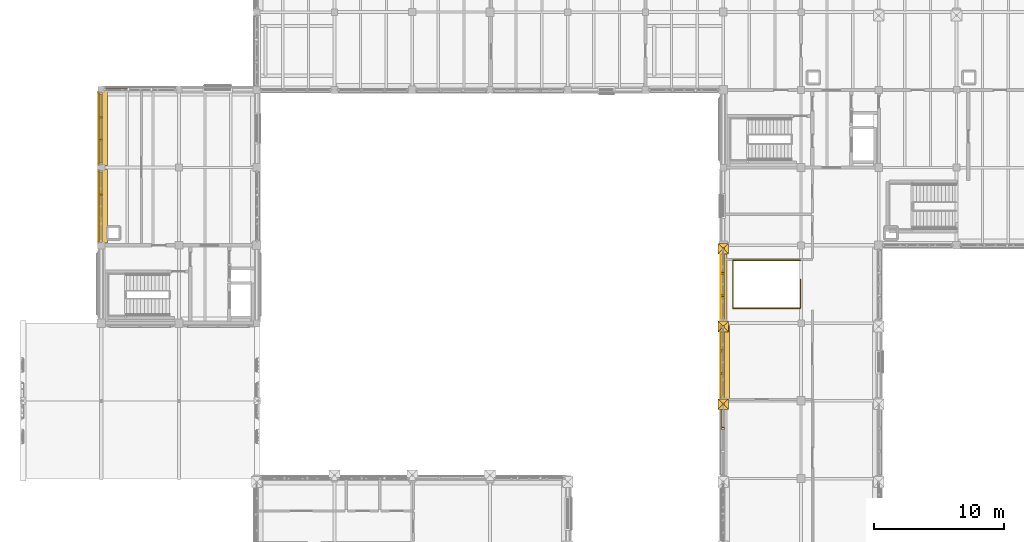
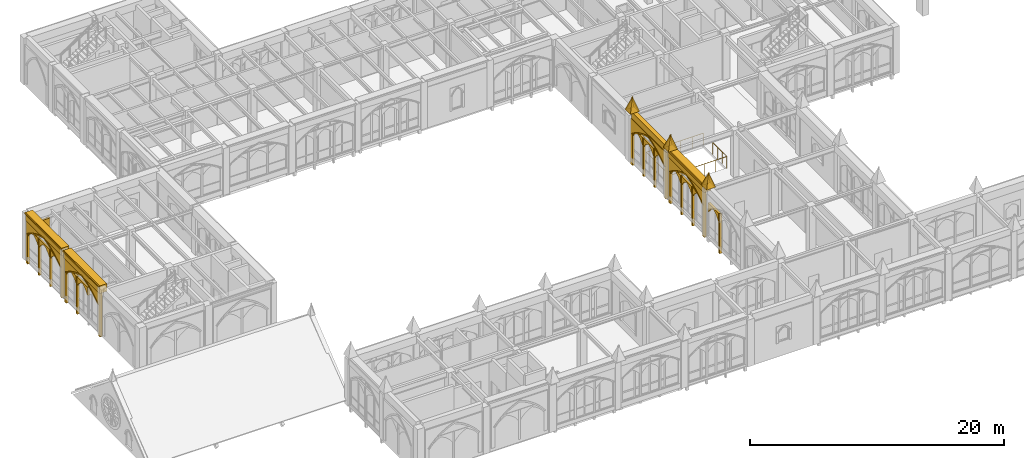
# One storey, part 118 of 143: 48 coverings, 1 railing.
"""IFC4 building model written with IfcOpenShell, lengths in metres."""

from ifc_helpers import new_model, si_unit, direction, frame, origin, origin_2d, place, context, subcontext, project, spatial, polyline, rectangle, circle, outline, extrude, material, type_object, element, save


model = new_model("IFC4")

# Units and contexts
model_context = context("Model", 3, precision=1e-05, world=origin(), true_north=direction((0.0, 1.0)))
body_context = subcontext(model_context, "Body", "Model", "MODEL_VIEW")
ifc_project = project(units=[si_unit("LENGTHUNIT", "METRE"), si_unit("AREAUNIT", "SQUARE_METRE"), si_unit("VOLUMEUNIT", "CUBIC_METRE"), si_unit("PLANEANGLEUNIT", "RADIAN"), si_unit("MASSUNIT", "GRAM", prefix="KILO")], contexts=[model_context])

# Site, building, storey
site_placement = place(None, origin())
site = spatial("IfcSite", under=ifc_project, at=site_placement, CompositionType="ELEMENT")
building_placement = place(site_placement, origin())
building = spatial("IfcBuilding", under=site, at=building_placement, Name="Cumevento Cable Car Station", CompositionType="ELEMENT")
storey_placement = place(building_placement, frame((0.0, 0.0, 9.0)))
storey = spatial("IfcBuildingStorey", under=building, at=storey_placement, Name="L03", CompositionType="ELEMENT", Elevation=9.0)

# Railing
ifc_material_1 = material(Name="Painted Galvanised Architectural Steel", Category="steel")
railing_type = type_object("IfcRailingType", Name="Stair Guardrail GR-S115", PredefinedType="GUARDRAIL", material=ifc_material_1)
railing_placement = place(storey_placement, frame((63.949951171875, 30.360107421875, 0.0)))
element("IfcRailing", 1, at=railing_placement, inside=storey, type_object=railing_type, Name="Stairwell Opening Rim Guard ST-10 L03", PredefinedType="GUARDRAIL", context=body_context, shape_type="SweptSolid", body=[
    extrude(circle(Radius=0.02392578125, at=origin_2d()), frame((0.0, 0.0, 1.1259765625), z_axis=(0.0, -1.0, 0.0), x_axis=(1.0, 0.0, 0.0)), (0.0, 0.0, 1.0), 2.210205078125),
    extrude(circle(Radius=0.02392578125, at=origin_2d()), frame((0.0, -2.210205078125, 1.1259765625), z_axis=(-1.0, 0.0, 0.0), x_axis=(0.0, -1.0, 0.0)), (0.0, 0.0, 1.0), 5.199951171875),
    extrude(circle(Radius=0.02392578125, at=origin_2d()), frame((-5.199951171875, -2.210205078125, 1.1259765625), z_axis=(0.0, 1.0, 0.0), x_axis=(-1.0, 0.0, 0.0)), (0.0, 0.0, 1.0), 3.7001953125),
    extrude(circle(Radius=0.02392578125, at=origin_2d()), frame((-5.199951171875, 1.489990234375, 1.1259765625), z_axis=(1.0, 0.0, 0.0), x_axis=(0.0, 1.0, 0.0)), (0.0, 0.0, 1.0), 5.199951171875),
    extrude(circle(Radius=0.02001953125, at=origin_2d()), origin(), (0.0, 0.0, 1.0), 1.101806640625),
    extrude(circle(Radius=0.02001953125, at=origin_2d()), frame((0.0, -0.73681640625, 0.0)), (0.0, 0.0, 1.0), 1.101806640625),
    extrude(circle(Radius=0.02001953125, at=origin_2d()), frame((0.0, -1.473388671875, 0.0)), (0.0, 0.0, 1.0), 1.101806640625),
    extrude(circle(Radius=0.02001953125, at=origin_2d()), frame((0.0, -2.210205078125, 0.0)), (0.0, 0.0, 1.0), 1.101806640625),
    extrude(circle(Radius=0.02001953125, at=origin_2d()), frame((-1.0400390625, -2.210205078125, 0.0)), (0.0, 0.0, 1.0), 1.101806640625),
    extrude(circle(Radius=0.02001953125, at=origin_2d()), frame((-2.080078125, -2.210205078125, 0.0)), (0.0, 0.0, 1.0), 1.101806640625),
    extrude(circle(Radius=0.02001953125, at=origin_2d()), frame((-3.119873046875, -2.210205078125, 0.0)), (0.0, 0.0, 1.0), 1.101806640625),
    extrude(circle(Radius=0.02001953125, at=origin_2d()), frame((-4.159912109375, -2.210205078125, 0.0)), (0.0, 0.0, 1.0), 1.101806640625),
    extrude(circle(Radius=0.02001953125, at=origin_2d()), frame((-5.199951171875, -2.210205078125, 0.0)), (0.0, 0.0, 1.0), 1.101806640625),
    extrude(circle(Radius=0.02001953125, at=origin_2d()), frame((-5.199951171875, -1.28515625, 0.0)), (0.0, 0.0, 1.0), 1.101806640625),
    extrude(circle(Radius=0.02001953125, at=origin_2d()), frame((-5.199951171875, -0.360107421875, 0.0)), (0.0, 0.0, 1.0), 1.101806640625),
    extrude(circle(Radius=0.02001953125, at=origin_2d()), frame((-5.199951171875, 0.56494140625, 0.0)), (0.0, 0.0, 1.0), 1.101806640625),
    extrude(circle(Radius=0.02001953125, at=origin_2d()), frame((-5.199951171875, 1.489990234375, 0.0)), (0.0, 0.0, 1.0), 1.101806640625),
    extrude(circle(Radius=0.02001953125, at=origin_2d()), frame((-4.159912109375, 1.489990234375, 0.0)), (0.0, 0.0, 1.0), 1.101806640625),
    extrude(circle(Radius=0.02001953125, at=origin_2d()), frame((-3.119873046875, 1.489990234375, 0.0)), (0.0, 0.0, 1.0), 1.101806640625),
    extrude(circle(Radius=0.02001953125, at=origin_2d()), frame((-2.080078125, 1.489990234375, 0.0)), (0.0, 0.0, 1.0), 1.101806640625),
    extrude(circle(Radius=0.02001953125, at=origin_2d()), frame((-1.0400390625, 1.489990234375, 0.0)), (0.0, 0.0, 1.0), 1.101806640625),
    extrude(circle(Radius=0.02001953125, at=origin_2d()), frame((0.0, 1.489990234375, 0.0)), (0.0, 0.0, 1.0), 1.101806640625),
])

# Coverings
ifc_material_2 = material(Name="Gnaisse Facoidal Stone Ashlar 85 MPa", Category="masonry")
covering_type = type_object("IfcCoveringType", Name="Gnaisse Ashlar Cladding CV-CL01", PredefinedType="CLADDING", material=ifc_material_2)
for number, where, z_axis, x_axis, name in (
    (2, (57.580078125, 21.159912109375, 4.8701171875), (0.0, 0.951573760476, 0.30742052367), (1.0, 0.0, 0.0), "Gothic Buttress Pinnacle Spire Facet 1 bt:58.0:21.0"),
    (3, (58.419921875, 21.159912109375, 4.8701171875), (0.951573760476, 0.0, 0.30742052367), (0.0, -1.0, 0.0), "Gothic Buttress Pinnacle Spire Facet 2 bt:58.0:21.0"),
    (4, (58.419921875, 20.320068359375, 4.8701171875), (0.0, -0.951573760476, 0.30742052367), (-1.0, 0.0, 0.0), "Gothic Buttress Pinnacle Spire Facet 3 bt:58.0:21.0"),
    (5, (57.580078125, 20.320068359375, 4.8701171875), (-0.951573760476, 0.0, 0.30742052367), (0.0, 1.0, 0.0), "Gothic Buttress Pinnacle Spire Facet 4 bt:58.0:21.0"),
    (6, (57.580078125, 27.159912109375, 4.8701171875), (0.0, 0.951573760476, 0.30742052367), (1.0, 0.0, 0.0), "Gothic Buttress Pinnacle Spire Facet 1 bt:58.0:27.0"),
    (7, (58.419921875, 27.159912109375, 4.8701171875), (0.951573760476, 0.0, 0.30742052367), (0.0, -1.0, 0.0), "Gothic Buttress Pinnacle Spire Facet 2 bt:58.0:27.0"),
    (8, (58.419921875, 26.320068359375, 4.8701171875), (0.0, -0.951573760476, 0.30742052367), (-1.0, 0.0, 0.0), "Gothic Buttress Pinnacle Spire Facet 3 bt:58.0:27.0"),
    (9, (57.580078125, 26.320068359375, 4.8701171875), (-0.951573760476, 0.0, 0.30742052367), (0.0, 1.0, 0.0), "Gothic Buttress Pinnacle Spire Facet 4 bt:58.0:27.0"),
    (10, (57.580078125, 33.159912109375, 4.8701171875), (0.0, 0.951573760476, 0.30742052367), (1.0, 0.0, 0.0), "Gothic Buttress Pinnacle Spire Facet 1 bt:58.0:33.0"),
    (11, (58.419921875, 33.159912109375, 4.8701171875), (0.951573760476, 0.0, 0.30742052367), (0.0, -1.0, 0.0), "Gothic Buttress Pinnacle Spire Facet 2 bt:58.0:33.0"),
    (12, (58.419921875, 32.320068359375, 4.8701171875), (0.0, -0.951573760476, 0.30742052367), (-1.0, 0.0, 0.0), "Gothic Buttress Pinnacle Spire Facet 3 bt:58.0:33.0"),
    (13, (57.580078125, 32.320068359375, 4.8701171875), (-0.951573760476, 0.0, 0.30742052367), (0.0, 1.0, 0.0), "Gothic Buttress Pinnacle Spire Facet 4 bt:58.0:33.0"),
):
    element("IfcCovering", number, at=place(storey_placement, frame(where, z_axis=z_axis, x_axis=x_axis)), inside=storey, type_object=covering_type, Name=name, PredefinedType="CLADDING", context=body_context, shape_type="SweptSolid", body=[
        extrude(outline(polyline([(0.0, 0.0), (0.83984375, 0.0), (0.419921875, -1.3659526370817139), (0.0, 0.0)])), origin(), (0.0, 0.0, -1.0), 0.0849609375),
    ])
covering_1_placement = place(storey_placement, frame((58.14990234375, 23.987548828125, 4.032958984375), z_axis=(0.0, 0.0, 1.0), x_axis=(0.0, 1.0, 0.0)))
element("IfcCovering", 14, at=covering_1_placement, inside=storey, type_object=covering_type, Name="Gothic Stone Spandrel Stringcourse sc:0604", PredefinedType="CLADDING", context=body_context, shape_type="SweptSolid", body=[
    extrude(rectangle(XDim=5.6650390625, YDim=0.659912109375, at=origin_2d()), origin(), (0.0, 0.0, 1.0), 0.7470703125),
])
covering_2_placement = place(storey_placement, frame((57.79248046875, 23.987548828125, 4.650146484375), z_axis=(0.0, 0.0, 1.0), x_axis=(0.0, 1.0, 0.0)))
element("IfcCovering", 15, at=covering_2_placement, inside=storey, type_object=covering_type, Name="Gothic Cornice Dripstone Lip sc:0604", PredefinedType="CLADDING", context=body_context, shape_type="SweptSolid", body=[
    extrude(rectangle(XDim=5.705078125, YDim=0.114990234375, at=origin_2d()), origin(), (0.0, 0.0, 1.0), 0.1298828125),
])
covering_3_placement = place(storey_placement, frame((58.090087890625, 29.987548828125, 4.032958984375), z_axis=(0.0, 0.0, 1.0), x_axis=(0.0, 1.0, 0.0)))
element("IfcCovering", 16, at=covering_3_placement, inside=storey, type_object=covering_type, Name="Gothic Stone Spandrel Stringcourse sc:0605", PredefinedType="CLADDING", context=body_context, shape_type="SweptSolid", body=[
    extrude(rectangle(XDim=5.43505859375, YDim=0.3798828125, at=origin_2d()), origin(), (0.0, 0.0, 1.0), 0.7470703125),
])
covering_4_placement = place(storey_placement, frame((10.14990234375, 36.012451171875, 3.8330078125), z_axis=(0.0, 0.0, 1.0), x_axis=(0.0, 1.0, 0.0)))
element("IfcCovering", 17, at=covering_4_placement, inside=storey, type_object=covering_type, Name="Gothic Stone Spandrel Stringcourse sc:0622", PredefinedType="CLADDING", context=body_context, shape_type="SweptSolid", body=[
    extrude(rectangle(XDim=5.6650390625, YDim=0.659912109375, at=origin_2d()), origin(), (0.0, 0.0, 1.0), 0.7470703125),
])
covering_5_placement = place(storey_placement, frame((9.79248046875, 36.012451171875, 4.449951171875), z_axis=(0.0, 0.0, 1.0), x_axis=(0.0, 1.0, 0.0)))
element("IfcCovering", 18, at=covering_5_placement, inside=storey, type_object=covering_type, Name="Gothic Cornice Dripstone Lip sc:0622", PredefinedType="CLADDING", context=body_context, shape_type="SweptSolid", body=[
    extrude(rectangle(XDim=5.705078125, YDim=0.114990234375, at=origin_2d()), origin(), (0.0, 0.0, 1.0), 0.1298828125),
])
covering_6_placement = place(storey_placement, frame((10.14990234375, 42.012451171875, 3.8330078125), z_axis=(0.0, 0.0, 1.0), x_axis=(0.0, 1.0, 0.0)))
element("IfcCovering", 19, at=covering_6_placement, inside=storey, type_object=covering_type, Name="Gothic Stone Spandrel Stringcourse sc:0623", PredefinedType="CLADDING", context=body_context, shape_type="SweptSolid", body=[
    extrude(rectangle(XDim=5.715087890625, YDim=0.659912109375, at=origin_2d()), origin(), (0.0, 0.0, 1.0), 0.7470703125),
])
covering_7_placement = place(storey_placement, frame((9.79248046875, 42.012451171875, 4.449951171875), z_axis=(0.0, 0.0, 1.0), x_axis=(0.0, 1.0, 0.0)))
element("IfcCovering", 20, at=covering_7_placement, inside=storey, type_object=covering_type, Name="Gothic Cornice Dripstone Lip sc:0623", PredefinedType="CLADDING", context=body_context, shape_type="SweptSolid", body=[
    extrude(rectangle(XDim=5.7548828125, YDim=0.114990234375, at=origin_2d()), origin(), (0.0, 0.0, 1.0), 0.1298828125),
])
covering_8_placement = place(storey_placement, frame((58.0, 15.25, -0.419921875), z_axis=(0.0, 0.0, 1.0), x_axis=(0.0, 1.0, 0.0)))
element("IfcCovering", 21, at=covering_8_placement, inside=storey, type_object=covering_type, Name="Gothic Bifora Stone Colonnette cw_ogival:0082 #2", PredefinedType="CLADDING", context=body_context, shape_type="SweptSolid", body=[
    extrude(outline(polyline([(3.546630859375, -0.02001953125), (3.69677734375, -0.02001953125), (3.69677734375, 3.7880859375), (3.546630859375, 3.7880859375), (3.546630859375, -0.02001953125)])), frame((0.0, 0.1279296875, 0.0), z_axis=(0.0, -1.0, 0.0), x_axis=(1.0, 0.0, 0.0)), (0.0, 0.0, 1.0), 0.205078125),
])
covering_9_placement = place(storey_placement, frame((58.0, 18.916748046875, 2.533203125), z_axis=(0.0, 0.0, 1.0), x_axis=(0.0, 1.0, 0.0)))
element("IfcCovering", 22, at=covering_9_placement, inside=storey, type_object=covering_type, Name="Gothic Ogival Pointed-Arch Stone Spandrel cw_ogival:0082:sub:2", PredefinedType="CLADDING", context=body_context, shape_type="SweptSolid", body=[
    extrude(outline(polyline([(-0.02001953125, 0.0), (-0.02001953125, 0.835205078125), (1.6982421875, 0.835205078125), (1.6982421875, 0.0), (1.638427734375, 0.0), (1.541259765625, 0.154052734375), (1.427978515625, 0.29638671875), (1.29931640625, 0.42529296875), (1.156982421875, 0.538818359375), (1.0029296875, 0.635986328125), (0.839111328125, 0.715087890625), (0.67529296875, 0.635986328125), (0.521240234375, 0.538818359375), (0.37890625, 0.42529296875), (0.250244140625, 0.29638671875), (0.136962890625, 0.154052734375), (0.0400390625, 0.0), (-0.02001953125, 0.0)])), frame((0.0, 0.1240234375, 0.0), z_axis=(0.0, -1.0, 0.0), x_axis=(1.0, 0.0, 0.0)), (0.0, 0.0, 1.0), 0.199951171875),
])
placement_1 = place(storey_placement, frame((58.0, 21.27490234375, -0.320068359375), z_axis=(0.0, 0.0, 1.0), x_axis=(0.0, 1.0, 0.0)))
element("IfcCovering", 23, at=placement_1, inside=storey, type_object=covering_type, Name="Gothic Ogival Pointed-Arch Stone Spandrel cw_ogival:0084", PredefinedType="CLADDING", context=body_context, shape_type="SweptSolid", body=[
    extrude(outline(polyline([(-0.080078125, 0.0), (-0.080078125, 4.492919921875), (5.5048828125, 4.492919921875), (5.5048828125, 0.0), (5.264892578125, 0.0), (5.264892578125, 3.069091796875), (4.9765625, 3.278076171875), (4.677734375, 3.47216796875), (4.369140625, 3.650390625), (4.052001953125, 3.812744140625), (3.726806640625, 3.95849609375), (3.39453125, 4.08740234375), (3.05615234375, 4.198974609375), (2.71240234375, 4.29296875), (2.368896484375, 4.198974609375), (2.030517578125, 4.08740234375), (1.6982421875, 3.95849609375), (1.373046875, 3.812744140625), (1.055908203125, 3.650390625), (0.747314453125, 3.47216796875), (0.448486328125, 3.278076171875), (0.159912109375, 3.069091796875), (0.159912109375, 0.0), (-0.080078125, 0.0)])), frame((0.0, 0.139892578125, 0.0), z_axis=(0.0, -1.0, 0.0), x_axis=(1.0, 0.0, 0.0)), (0.0, 0.0, 1.0), 0.219970703125),
])
covering_11_placement = place(storey_placement, frame((58.0, 21.27490234375, 2.7490234375), z_axis=(0.0, 0.0, 1.0), x_axis=(0.0, 1.0, 0.0)))
element("IfcCovering", 24, at=covering_11_placement, inside=storey, type_object=covering_type, Name="Gothic Pointed Archivolt Hood Moulding cw_ogival:0084", PredefinedType="CLADDING", context=body_context, shape_type="SweptSolid", body=[
    extrude(outline(polyline([(0.159912109375, 0.0), (0.448486328125, 0.208984375), (0.747314453125, 0.403076171875), (1.055908203125, 0.581298828125), (1.373046875, 0.74365234375), (1.6982421875, 0.889404296875), (2.030517578125, 1.018310546875), (2.368896484375, 1.1298828125), (2.71240234375, 1.223876953125), (3.05615234375, 1.1298828125), (3.39453125, 1.018310546875), (3.726806640625, 0.889404296875), (4.052001953125, 0.74365234375), (4.369140625, 0.581298828125), (4.677734375, 0.403076171875), (4.9765625, 0.208984375), (5.264892578125, 0.0), (5.375, 0.0), (5.078125, 0.23193359375), (4.76904296875, 0.447265625), (4.44873046875, 0.6455078125), (4.1181640625, 0.825927734375), (3.778076171875, 0.98828125), (3.429931640625, 1.1318359375), (3.07421875, 1.25634765625), (2.71240234375, 1.361328125), (2.350830078125, 1.25634765625), (1.9951171875, 1.1318359375), (1.64697265625, 0.98828125), (1.306884765625, 0.825927734375), (0.976318359375, 0.6455078125), (0.656005859375, 0.447265625), (0.346923828125, 0.23193359375), (0.050048828125, 0.0), (0.159912109375, 0.0)])), frame((0.0, 0.181884765625, 0.0), z_axis=(0.0, -1.0, 0.0), x_axis=(1.0, 0.0, 0.0)), (0.0, 0.0, 1.0), 0.06689453125),
])
element("IfcCovering", 25, at=placement_1, inside=storey, type_object=covering_type, Name="Gothic Bifora Stone Colonnette cw_ogival:0084 #1", PredefinedType="CLADDING", context=body_context, shape_type="SweptSolid", body=[
    extrude(outline(polyline([(1.76171875, -0.02001953125), (1.91162109375, -0.02001953125), (1.91162109375, 3.70556640625), (1.76171875, 3.70556640625), (1.76171875, -0.02001953125)])), frame((0.0, 0.1279296875, 0.0), z_axis=(0.0, -1.0, 0.0), x_axis=(1.0, 0.0, 0.0)), (0.0, 0.0, 1.0), 0.205078125),
])
element("IfcCovering", 26, at=placement_1, inside=storey, type_object=covering_type, Name="Gothic Bifora Stone Colonnette cw_ogival:0084 #2", PredefinedType="CLADDING", context=body_context, shape_type="SweptSolid", body=[
    extrude(outline(polyline([(3.513427734375, -0.02001953125), (3.663330078125, -0.02001953125), (3.663330078125, 3.70556640625), (3.513427734375, 3.70556640625), (3.513427734375, -0.02001953125)])), frame((0.0, 0.1279296875, 0.0), z_axis=(0.0, -1.0, 0.0), x_axis=(1.0, 0.0, 0.0)), (0.0, 0.0, 1.0), 0.205078125),
])
for number, where, z_axis, x_axis, name in (
    (27, (58.0, 21.405029296875, 2.569091796875), (0.0, 0.0, 1.0), (0.0, 1.0, 0.0), "Gothic Ogival Pointed-Arch Stone Spandrel cw_ogival:0084:sub:0"),
    (28, (58.0, 23.15673828125, 2.569091796875), (0.0, 0.0, 1.0), (0.0, 1.0, 0.0), "Gothic Ogival Pointed-Arch Stone Spandrel cw_ogival:0084:sub:1"),
    (29, (58.0, 24.908447265625, 2.569091796875), (0.0, 0.0, 1.0), (0.0, 1.0, 0.0), "Gothic Ogival Pointed-Arch Stone Spandrel cw_ogival:0084:sub:2"),
):
    element("IfcCovering", number, at=place(storey_placement, frame(where, z_axis=z_axis, x_axis=x_axis)), inside=storey, type_object=covering_type, Name=name, PredefinedType="CLADDING", context=body_context, shape_type="SweptSolid", body=[
        extrude(outline(polyline([(-0.02001953125, 0.0), (-0.02001953125, 0.81640625), (1.681640625, 0.81640625), (1.681640625, 0.0), (1.62158203125, 0.0), (1.52490234375, 0.150390625), (1.412109375, 0.2890625), (1.28466796875, 0.41455078125), (1.14404296875, 0.525146484375), (0.9921875, 0.619384765625), (0.830810546875, 0.6962890625), (0.66943359375, 0.619384765625), (0.517578125, 0.525146484375), (0.376953125, 0.41455078125), (0.24951171875, 0.2890625), (0.13671875, 0.150390625), (0.0400390625, 0.0), (-0.02001953125, 0.0)])), frame((0.0, 0.1240234375, 0.0), z_axis=(0.0, -1.0, 0.0), x_axis=(1.0, 0.0, 0.0)), (0.0, 0.0, 1.0), 0.199951171875),
    ])
placement_2 = place(storey_placement, frame((58.0, 27.300048828125, -0.27001953125), z_axis=(0.0, 0.0, 1.0), x_axis=(0.0, 1.0, 0.0)))
element("IfcCovering", 30, at=placement_2, inside=storey, type_object=covering_type, Name="Gothic Ogival Pointed-Arch Stone Spandrel cw_ogival:0085", PredefinedType="CLADDING", context=body_context, shape_type="SweptSolid", body=[
    extrude(outline(polyline([(-0.080078125, 0.0), (-0.080078125, 4.443115234375), (5.455078125, 4.443115234375), (5.455078125, 0.0), (5.215087890625, 0.0), (5.215087890625, 3.037109375), (4.928955078125, 3.2431640625), (4.6328125, 3.434326171875), (4.327392578125, 3.610107421875), (4.01318359375, 3.77001953125), (3.69140625, 3.91357421875), (3.362548828125, 4.04052734375), (3.027587890625, 4.150390625), (2.6875, 4.242919921875), (2.347412109375, 4.150390625), (2.012451171875, 4.04052734375), (1.68359375, 3.91357421875), (1.36181640625, 3.77001953125), (1.047607421875, 3.610107421875), (0.7421875, 3.434326171875), (0.446044921875, 3.2431640625), (0.159912109375, 3.037109375), (0.159912109375, 0.0), (-0.080078125, 0.0)])), frame((0.0, 0.139892578125, 0.0), z_axis=(0.0, -1.0, 0.0), x_axis=(1.0, 0.0, 0.0)), (0.0, 0.0, 1.0), 0.219970703125),
])
covering_15_placement = place(storey_placement, frame((58.0, 27.300048828125, 2.76708984375), z_axis=(0.0, 0.0, 1.0), x_axis=(0.0, 1.0, 0.0)))
element("IfcCovering", 31, at=covering_15_placement, inside=storey, type_object=covering_type, Name="Gothic Pointed Archivolt Hood Moulding cw_ogival:0085", PredefinedType="CLADDING", context=body_context, shape_type="SweptSolid", body=[
    extrude(outline(polyline([(0.159912109375, 0.0), (0.446044921875, 0.2060546875), (0.7421875, 0.397216796875), (1.047607421875, 0.572998046875), (1.36181640625, 0.73291015625), (1.68359375, 0.87646484375), (2.012451171875, 1.00341796875), (2.347412109375, 1.11328125), (2.6875, 1.205810546875), (3.027587890625, 1.11328125), (3.362548828125, 1.00341796875), (3.69140625, 0.87646484375), (4.01318359375, 0.73291015625), (4.327392578125, 0.572998046875), (4.6328125, 0.397216796875), (4.928955078125, 0.2060546875), (5.215087890625, 0.0), (5.324951171875, 0.0), (5.030517578125, 0.228759765625), (4.724365234375, 0.44140625), (4.40673828125, 0.636962890625), (4.079345703125, 0.815185546875), (3.74267578125, 0.975341796875), (3.397705078125, 1.116943359375), (3.045654296875, 1.23974609375), (2.6875, 1.343505859375), (2.329345703125, 1.23974609375), (1.977294921875, 1.116943359375), (1.63232421875, 0.975341796875), (1.295654296875, 0.815185546875), (0.96826171875, 0.636962890625), (0.650634765625, 0.44140625), (0.344482421875, 0.228759765625), (0.050048828125, 0.0), (0.159912109375, 0.0)])), frame((0.0, 0.181884765625, 0.0), z_axis=(0.0, -1.0, 0.0), x_axis=(1.0, 0.0, 0.0)), (0.0, 0.0, 1.0), 0.06689453125),
])
element("IfcCovering", 32, at=placement_2, inside=storey, type_object=covering_type, Name="Gothic Bifora Stone Colonnette cw_ogival:0085 #1", PredefinedType="CLADDING", context=body_context, shape_type="SweptSolid", body=[
    extrude(outline(polyline([(1.7451171875, -0.02001953125), (1.89501953125, -0.02001953125), (1.89501953125, 3.664306640625), (1.7451171875, 3.664306640625), (1.7451171875, -0.02001953125)])), frame((0.0, 0.1279296875, 0.0), z_axis=(0.0, -1.0, 0.0), x_axis=(1.0, 0.0, 0.0)), (0.0, 0.0, 1.0), 0.205078125),
])
element("IfcCovering", 33, at=placement_2, inside=storey, type_object=covering_type, Name="Gothic Bifora Stone Colonnette cw_ogival:0085 #2", PredefinedType="CLADDING", context=body_context, shape_type="SweptSolid", body=[
    extrude(outline(polyline([(3.47998046875, -0.02001953125), (3.6298828125, -0.02001953125), (3.6298828125, 3.664306640625), (3.47998046875, 3.664306640625), (3.47998046875, -0.02001953125)])), frame((0.0, 0.1279296875, 0.0), z_axis=(0.0, -1.0, 0.0), x_axis=(1.0, 0.0, 0.0)), (0.0, 0.0, 1.0), 0.205078125),
])
for number, where, z_axis, x_axis, name in (
    (34, (58.0, 27.429931640625, 2.587158203125), (0.0, 0.0, 1.0), (0.0, 1.0, 0.0), "Gothic Ogival Pointed-Arch Stone Spandrel cw_ogival:0085:sub:0"),
    (35, (58.0, 29.1650390625, 2.587158203125), (0.0, 0.0, 1.0), (0.0, 1.0, 0.0), "Gothic Ogival Pointed-Arch Stone Spandrel cw_ogival:0085:sub:1"),
    (36, (58.0, 30.89990234375, 2.587158203125), (0.0, 0.0, 1.0), (0.0, 1.0, 0.0), "Gothic Ogival Pointed-Arch Stone Spandrel cw_ogival:0085:sub:2"),
):
    element("IfcCovering", number, at=place(storey_placement, frame(where, z_axis=z_axis, x_axis=x_axis)), inside=storey, type_object=covering_type, Name=name, PredefinedType="CLADDING", context=body_context, shape_type="SweptSolid", body=[
        extrude(outline(polyline([(-0.02001953125, 0.0), (-0.02001953125, 0.80712890625), (1.6650390625, 0.80712890625), (1.6650390625, 0.0), (1.60498046875, 0.0), (1.509033203125, 0.1484375), (1.3974609375, 0.28515625), (1.271240234375, 0.408935546875), (1.13232421875, 0.51806640625), (0.98193359375, 0.611083984375), (0.822509765625, 0.68701171875), (0.6630859375, 0.611083984375), (0.5126953125, 0.51806640625), (0.373779296875, 0.408935546875), (0.24755859375, 0.28515625), (0.135986328125, 0.1484375), (0.0400390625, 0.0), (-0.02001953125, 0.0)])), frame((0.0, 0.1240234375, 0.0), z_axis=(0.0, -1.0, 0.0), x_axis=(1.0, 0.0, 0.0)), (0.0, 0.0, 1.0), 0.199951171875),
    ])
covering_18_placement = place(storey_placement, frame((10.3798828125, 45.0, 2.405029296875), z_axis=(0.0, 0.0, 1.0), x_axis=(1.0, 0.0, 0.0)))
element("IfcCovering", 37, at=covering_18_placement, inside=storey, type_object=covering_type, Name="Gothic Ogival Pointed-Arch Stone Spandrel cw_ogival:0090:sub:0", PredefinedType="CLADDING", context=body_context, shape_type="SweptSolid", body=[
    extrude(outline(polyline([(-0.02001953125, 0.0), (-0.02001953125, 0.797607421875), (1.706787109375, 0.797607421875), (1.706787109375, 0.0), (1.646728515625, 0.0), (1.5458984375, 0.14697265625), (1.429931640625, 0.2822265625), (1.30029296875, 0.404052734375), (1.157958984375, 0.511474609375), (1.005126953125, 0.60302734375), (0.84326171875, 0.677734375), (0.681640625, 0.60302734375), (0.52880859375, 0.511474609375), (0.386474609375, 0.404052734375), (0.2568359375, 0.2822265625), (0.140869140625, 0.14697265625), (0.0400390625, 0.0), (-0.02001953125, 0.0)])), frame((0.0, 0.1240234375, 0.0), z_axis=(0.0, -1.0, 0.0), x_axis=(1.0, 0.0, 0.0)), (0.0, 0.0, 1.0), 0.199951171875),
])
placement_3 = place(storey_placement, frame((10.0, 33.300048828125, -0.3701171875), z_axis=(0.0, 0.0, 1.0), x_axis=(0.0, 1.0, 0.0)))
element("IfcCovering", 38, at=placement_3, inside=storey, type_object=covering_type, Name="Gothic Ogival Pointed-Arch Stone Spandrel cw_ogival:0091", PredefinedType="CLADDING", context=body_context, shape_type="SweptSolid", body=[
    extrude(outline(polyline([(-0.080078125, 0.0), (-0.080078125, 4.343017578125), (5.5048828125, 4.343017578125), (5.5048828125, 0.0), (5.264892578125, 0.0), (5.264892578125, 2.97314453125), (4.97412109375, 3.17333984375), (4.673583984375, 3.359130859375), (4.3642578125, 3.529541015625), (4.046875, 3.6845703125), (3.72216796875, 3.823974609375), (3.39111328125, 3.94677734375), (3.05419921875, 4.05322265625), (2.71240234375, 4.14306640625), (2.370849609375, 4.05322265625), (2.033935546875, 3.94677734375), (1.702880859375, 3.823974609375), (1.378173828125, 3.6845703125), (1.060791015625, 3.529541015625), (0.75146484375, 3.359130859375), (0.450927734375, 3.17333984375), (0.159912109375, 2.97314453125), (0.159912109375, 0.0), (-0.080078125, 0.0)])), frame((0.0, 0.139892578125, 0.0), z_axis=(0.0, -1.0, 0.0), x_axis=(1.0, 0.0, 0.0)), (0.0, 0.0, 1.0), 0.219970703125),
])
covering_20_placement = place(storey_placement, frame((10.0, 33.300048828125, 2.60302734375), z_axis=(0.0, 0.0, 1.0), x_axis=(0.0, 1.0, 0.0)))
element("IfcCovering", 39, at=covering_20_placement, inside=storey, type_object=covering_type, Name="Gothic Pointed Archivolt Hood Moulding cw_ogival:0091", PredefinedType="CLADDING", context=body_context, shape_type="SweptSolid", body=[
    extrude(outline(polyline([(0.159912109375, 0.0), (0.450927734375, 0.2001953125), (0.75146484375, 0.385986328125), (1.060791015625, 0.556396484375), (1.378173828125, 0.71142578125), (1.702880859375, 0.850830078125), (2.033935546875, 0.9736328125), (2.370849609375, 1.080078125), (2.71240234375, 1.169921875), (3.05419921875, 1.080078125), (3.39111328125, 0.9736328125), (3.72216796875, 0.850830078125), (4.046875, 0.71142578125), (4.3642578125, 0.556396484375), (4.673583984375, 0.385986328125), (4.97412109375, 0.2001953125), (5.264892578125, 0.0), (5.375, 0.0), (5.075439453125, 0.22314453125), (4.7646484375, 0.43017578125), (4.443359375, 0.62060546875), (4.11279296875, 0.7939453125), (3.773193359375, 0.94970703125), (3.426025390625, 1.08740234375), (3.072265625, 1.206787109375), (2.71240234375, 1.307373046875), (2.352783203125, 1.206787109375), (1.9990234375, 1.08740234375), (1.65185546875, 0.94970703125), (1.312255859375, 0.7939453125), (0.981689453125, 0.62060546875), (0.660400390625, 0.43017578125), (0.349609375, 0.22314453125), (0.050048828125, 0.0), (0.159912109375, 0.0)])), frame((0.0, 0.181884765625, 0.0), z_axis=(0.0, -1.0, 0.0), x_axis=(1.0, 0.0, 0.0)), (0.0, 0.0, 1.0), 0.06689453125),
])
element("IfcCovering", 40, at=placement_3, inside=storey, type_object=covering_type, Name="Gothic Bifora Stone Colonnette cw_ogival:0091 #2", PredefinedType="CLADDING", context=body_context, shape_type="SweptSolid", body=[
    extrude(outline(polyline([(3.513427734375, -0.02001953125), (3.663330078125, -0.02001953125), (3.663330078125, 3.581298828125), (3.513427734375, 3.581298828125), (3.513427734375, -0.02001953125)])), frame((0.0, 0.1279296875, 0.0), z_axis=(0.0, -1.0, 0.0), x_axis=(1.0, 0.0, 0.0)), (0.0, 0.0, 1.0), 0.205078125),
])
for number, where, z_axis, x_axis, name in (
    (41, (10.0, 35.181640625, 2.423095703125), (0.0, 0.0, 1.0), (0.0, 1.0, 0.0), "Gothic Ogival Pointed-Arch Stone Spandrel cw_ogival:0091:sub:1"),
    (42, (10.0, 36.933349609375, 2.423095703125), (0.0, 0.0, 1.0), (0.0, 1.0, 0.0), "Gothic Ogival Pointed-Arch Stone Spandrel cw_ogival:0091:sub:2"),
):
    element("IfcCovering", number, at=place(storey_placement, frame(where, z_axis=z_axis, x_axis=x_axis)), inside=storey, type_object=covering_type, Name=name, PredefinedType="CLADDING", context=body_context, shape_type="SweptSolid", body=[
        extrude(outline(polyline([(-0.02001953125, 0.0), (-0.02001953125, 0.788330078125), (1.681640625, 0.788330078125), (1.681640625, 0.0), (1.62158203125, 0.0), (1.5224609375, 0.144775390625), (1.408447265625, 0.278076171875), (1.280517578125, 0.3984375), (1.140625, 0.50439453125), (0.990234375, 0.5947265625), (0.830810546875, 0.668212890625), (0.67138671875, 0.5947265625), (0.52099609375, 0.50439453125), (0.381103515625, 0.3984375), (0.253173828125, 0.278076171875), (0.13916015625, 0.144775390625), (0.0400390625, 0.0), (-0.02001953125, 0.0)])), frame((0.0, 0.1240234375, 0.0), z_axis=(0.0, -1.0, 0.0), x_axis=(1.0, 0.0, 0.0)), (0.0, 0.0, 1.0), 0.199951171875),
    ])
placement_4 = place(storey_placement, frame((10.0, 39.27490234375, -0.27001953125), z_axis=(0.0, 0.0, 1.0), x_axis=(0.0, 1.0, 0.0)))
element("IfcCovering", 43, at=placement_4, inside=storey, type_object=covering_type, Name="Gothic Ogival Pointed-Arch Stone Spandrel cw_ogival:0093", PredefinedType="CLADDING", context=body_context, shape_type="SweptSolid", body=[
    extrude(outline(polyline([(-0.080078125, 0.0), (-0.080078125, 4.242919921875), (5.554931640625, 4.242919921875), (5.554931640625, 0.0), (5.31494140625, 0.0), (5.31494140625, 2.9091796875), (5.01904296875, 3.103515625), (4.71435546875, 3.28369140625), (4.401123046875, 3.448974609375), (4.08056640625, 3.599365234375), (3.753173828125, 3.734130859375), (3.419677734375, 3.853271484375), (3.080810546875, 3.956298828125), (2.737548828125, 4.04296875), (2.394287109375, 3.956298828125), (2.055419921875, 3.853271484375), (1.721923828125, 3.734130859375), (1.39453125, 3.599365234375), (1.073974609375, 3.448974609375), (0.7607421875, 3.28369140625), (0.4560546875, 3.103515625), (0.159912109375, 2.9091796875), (0.159912109375, 0.0), (-0.080078125, 0.0)])), frame((0.0, 0.139892578125, 0.0), z_axis=(0.0, -1.0, 0.0), x_axis=(1.0, 0.0, 0.0)), (0.0, 0.0, 1.0), 0.219970703125),
])
covering_23_placement = place(storey_placement, frame((10.0, 39.27490234375, 2.63916015625), z_axis=(0.0, 0.0, 1.0), x_axis=(0.0, 1.0, 0.0)))
element("IfcCovering", 44, at=covering_23_placement, inside=storey, type_object=covering_type, Name="Gothic Pointed Archivolt Hood Moulding cw_ogival:0093", PredefinedType="CLADDING", context=body_context, shape_type="SweptSolid", body=[
    extrude(outline(polyline([(0.159912109375, 0.0), (0.4560546875, 0.1943359375), (0.7607421875, 0.37451171875), (1.073974609375, 0.539794921875), (1.39453125, 0.690185546875), (1.721923828125, 0.824951171875), (2.055419921875, 0.944091796875), (2.394287109375, 1.047119140625), (2.737548828125, 1.1337890625), (3.080810546875, 1.047119140625), (3.419677734375, 0.944091796875), (3.753173828125, 0.824951171875), (4.08056640625, 0.690185546875), (4.401123046875, 0.539794921875), (4.71435546875, 0.37451171875), (5.01904296875, 0.1943359375), (5.31494140625, 0.0), (5.425048828125, 0.0), (5.12060546875, 0.21728515625), (4.80517578125, 0.4189453125), (4.480224609375, 0.604248046875), (4.146240234375, 0.772705078125), (3.803955078125, 0.924072265625), (3.45458984375, 1.057861328125), (3.098876953125, 1.173828125), (2.737548828125, 1.271484375), (2.376220703125, 1.173828125), (2.0205078125, 1.057861328125), (1.671142578125, 0.924072265625), (1.328857421875, 0.772705078125), (0.994873046875, 0.604248046875), (0.669921875, 0.4189453125), (0.3544921875, 0.21728515625), (0.050048828125, 0.0), (0.159912109375, 0.0)])), frame((0.0, 0.181884765625, 0.0), z_axis=(0.0, -1.0, 0.0), x_axis=(1.0, 0.0, 0.0)), (0.0, 0.0, 1.0), 0.06689453125),
])
element("IfcCovering", 45, at=placement_4, inside=storey, type_object=covering_type, Name="Gothic Bifora Stone Colonnette cw_ogival:0093 #1", PredefinedType="CLADDING", context=body_context, shape_type="SweptSolid", body=[
    extrude(outline(polyline([(1.7783203125, -0.02001953125), (1.92822265625, -0.02001953125), (1.92822265625, 3.498779296875), (1.7783203125, 3.498779296875), (1.7783203125, -0.02001953125)])), frame((0.0, 0.1279296875, 0.0), z_axis=(0.0, -1.0, 0.0), x_axis=(1.0, 0.0, 0.0)), (0.0, 0.0, 1.0), 0.205078125),
])
element("IfcCovering", 46, at=placement_4, inside=storey, type_object=covering_type, Name="Gothic Bifora Stone Colonnette cw_ogival:0093 #2", PredefinedType="CLADDING", context=body_context, shape_type="SweptSolid", body=[
    extrude(outline(polyline([(3.546630859375, -0.02001953125), (3.69677734375, -0.02001953125), (3.69677734375, 3.498779296875), (3.546630859375, 3.498779296875), (3.546630859375, -0.02001953125)])), frame((0.0, 0.1279296875, 0.0), z_axis=(0.0, -1.0, 0.0), x_axis=(1.0, 0.0, 0.0)), (0.0, 0.0, 1.0), 0.205078125),
])
for number, where, z_axis, x_axis, name in (
    (47, (10.0, 39.405029296875, 2.458984375), (0.0, 0.0, 1.0), (0.0, 1.0, 0.0), "Gothic Ogival Pointed-Arch Stone Spandrel cw_ogival:0093:sub:0"),
    (48, (10.0, 41.17333984375, 2.458984375), (0.0, 0.0, 1.0), (0.0, 1.0, 0.0), "Gothic Ogival Pointed-Arch Stone Spandrel cw_ogival:0093:sub:1"),
    (49, (10.0, 42.941650390625, 2.458984375), (0.0, 0.0, 1.0), (0.0, 1.0, 0.0), "Gothic Ogival Pointed-Arch Stone Spandrel cw_ogival:0093:sub:2"),
):
    element("IfcCovering", number, at=place(storey_placement, frame(where, z_axis=z_axis, x_axis=x_axis)), inside=storey, type_object=covering_type, Name=name, PredefinedType="CLADDING", context=body_context, shape_type="SweptSolid", body=[
        extrude(outline(polyline([(-0.02001953125, 0.0), (-0.02001953125, 0.76953125), (1.6982421875, 0.76953125), (1.6982421875, 0.0), (1.638427734375, 0.0), (1.535888671875, 0.141357421875), (1.41943359375, 0.27099609375), (1.2900390625, 0.387939453125), (1.149169921875, 0.49072265625), (0.998291015625, 0.578369140625), (0.839111328125, 0.649658203125), (0.679931640625, 0.578369140625), (0.529052734375, 0.49072265625), (0.38818359375, 0.387939453125), (0.2587890625, 0.27099609375), (0.142333984375, 0.141357421875), (0.0400390625, 0.0), (-0.02001953125, 0.0)])), frame((0.0, 0.1240234375, 0.0), z_axis=(0.0, -1.0, 0.0), x_axis=(1.0, 0.0, 0.0)), (0.0, 0.0, 1.0), 0.199951171875),
    ])

save(model, "model.ifc")
